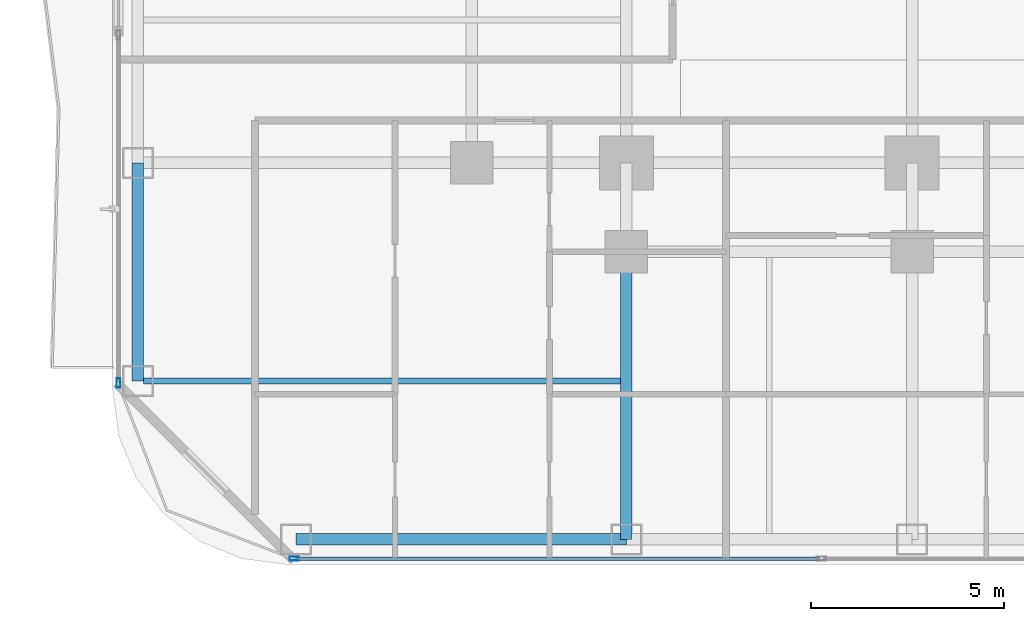
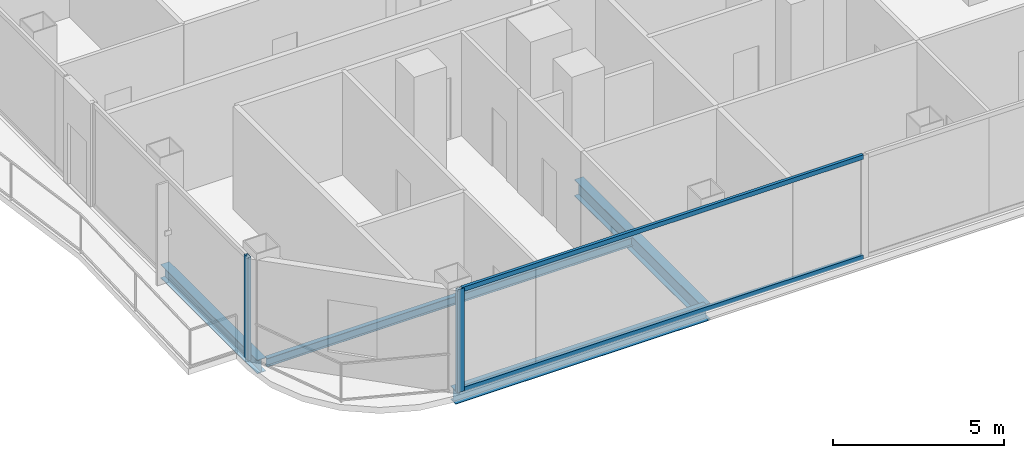
# One storey, part 2 of 30: 4 beams, 4 members, 2 elements without a shape of their own.
"""IFC4 building model written with IfcOpenShell, lengths in metres."""

from ifc_helpers import new_model, si_unit, direction, frame, origin, origin_2d, place, context, subcontext, project, spatial, hollow_rectangle, i_section, extrude, material, layer, layer_set, material_profile, profile_set, type_object, element, aggregate, save


model = new_model("IFC4")

# Units and contexts
model_context = context("Model", 3, precision=1e-05, world=origin(), true_north=direction((0.0, 1.0)))
body_context = subcontext(model_context, "Body", "Model", "MODEL_VIEW")
ifc_project = project(units=[si_unit("LENGTHUNIT", "METRE"), si_unit("AREAUNIT", "SQUARE_METRE"), si_unit("VOLUMEUNIT", "CUBIC_METRE"), si_unit("PLANEANGLEUNIT", "RADIAN"), si_unit("MASSUNIT", "GRAM", prefix="KILO")], contexts=[model_context])

# Site, building, storey
site_placement = place(None, origin())
site = spatial("IfcSite", under=ifc_project, at=site_placement, CompositionType="ELEMENT")
building_placement = place(site_placement, origin())
building = spatial("IfcBuilding", under=site, at=building_placement, Name="Khorvyn Point Tower", CompositionType="ELEMENT")
storey_placement = place(building_placement, frame((0.0, 0.0, 57.89990234375)))
storey = spatial("IfcBuildingStorey", under=building, at=storey_placement, Name="L15", CompositionType="ELEMENT", Elevation=57.89990234375)

# Curtain wall, member
ifc_material_1 = material(Name="Anodised aluminium 6063-T6 and laminated Low-E glass", Category="aluminium")
ifc_layer = layer(ifc_material_1, 0.18994140625)
ifc_layer_set = layer_set([ifc_layer], Name="Stick-Built Finned Residential Curtain Wall CW-SYS-02")
curtain_wall_type = type_object("IfcCurtainWallType", Name="Stick-Built Finned Residential Curtain Wall CW-SYS-02", PredefinedType="NOTDEFINED", material=ifc_layer_set)
curtain_wall_1_placement = place(storey_placement, origin())
curtain_wall_1 = element("IfcCurtainWall", 1, at=curtain_wall_1_placement, inside=storey, type_object=curtain_wall_type, Name="Curtain Wall", PredefinedType="NOTDEFINED")
ifc_material_2 = material(Name="Anodised aluminium 6063-T6", Category="aluminium")
ifc_material_profile_1 = material_profile(ifc_material_2, hollow_rectangle(XDim=0.10009765625, YDim=0.239990234375, WallThickness=0.0048828125, at=origin_2d()))
ifc_profile_set_1 = profile_set([ifc_material_profile_1], Name="Anodised aluminium 6063-T6 ALU-MUL-100x240")
member_type_1 = type_object("IfcMemberType", Name="Anodised Aluminium 6063-T6 Mullion ALU-MUL-100x240", PredefinedType="MULLION", material=ifc_profile_set_1)
member_1_placement = place(storey_placement, frame((-23.39990234375, -25.050048828125, 0.0), z_axis=(0.0, 0.0, 1.0), x_axis=(0.0, -1.0, 0.0)))
member_1 = element("IfcMember", 2, at=member_1_placement, type_object=member_type_1, Name="Transom", PredefinedType="MULLION", context=body_context, shape_type="SweptSolid", body=[
    extrude(hollow_rectangle(XDim=0.10009765625, YDim=0.239990234375, WallThickness=0.0048828125, at=origin_2d()), origin(), (0.0, 0.0, 1.0), 3.68017578125),
])

curtain_wall_2_placement = place(storey_placement, origin())
curtain_wall_2 = element("IfcCurtainWall", 3, at=curtain_wall_2_placement, inside=storey, type_object=curtain_wall_type, Name="Curtain Wall", PredefinedType="NOTDEFINED")
member_2_placement = place(storey_placement, frame((-27.949951171875, -20.5, 0.0), z_axis=(0.0, 0.0, 1.0), x_axis=(-1.0, 0.0, 0.0)))
member_2 = element("IfcMember", 4, at=member_2_placement, type_object=member_type_1, Name="Transom", PredefinedType="MULLION", context=body_context, shape_type="SweptSolid", body=[
    extrude(hollow_rectangle(XDim=0.10009765625, YDim=0.239990234375, WallThickness=0.0048828125, at=origin_2d()), origin(), (0.0, 0.0, 1.0), 3.68017578125),
])
aggregate(curtain_wall_2, [member_2])

# Member
ifc_material_profile_2 = material_profile(ifc_material_2, hollow_rectangle(XDim=0.10009765625, YDim=0.159912109375, WallThickness=0.00439453125, at=origin_2d()))
ifc_profile_set_2 = profile_set([ifc_material_profile_2], Name="Anodised aluminium 6063-T6 ALU-TRN-100x160")
member_type_2 = type_object("IfcMemberType", Name="Anodised Aluminium 6063-T6 Transom ALU-TRN-100x160", PredefinedType="USERDEFINED", material=ifc_profile_set_2)
member_3_placement = place(storey_placement, frame((-9.800048828125, -25.050048828125, 0.050048828125), z_axis=(-1.0, 0.0, 0.0), x_axis=(0.0, -1.0, 0.0)))
member_3 = element("IfcMember", 5, at=member_3_placement, type_object=member_type_2, Name="Transom", ObjectType="TRANSOM", PredefinedType="USERDEFINED", context=body_context, shape_type="SweptSolid", body=[
    extrude(hollow_rectangle(XDim=0.10009765625, YDim=0.159912109375, WallThickness=0.00439453125, at=origin_2d()), origin(), (0.0, 0.0, 1.0), 13.550048828125),
])

member_4_placement = place(storey_placement, frame((-9.800048828125, -25.050048828125, 3.630126953125), z_axis=(-1.0, 0.0, 0.0), x_axis=(0.0, -1.0, 0.0)))
member_4 = element("IfcMember", 6, at=member_4_placement, type_object=member_type_2, Name="Transom", ObjectType="TRANSOM", PredefinedType="USERDEFINED", context=body_context, shape_type="SweptSolid", body=[
    extrude(hollow_rectangle(XDim=0.10009765625, YDim=0.159912109375, WallThickness=0.00439453125, at=origin_2d()), origin(), (0.0, 0.0, 1.0), 13.550048828125),
])

aggregate(curtain_wall_1, [member_1, member_3, member_4])

# Beams
ifc_material_3 = material(Name="Steel S355", Category="steel")
ifc_material_profile_3 = material_profile(ifc_material_3, i_section(OverallWidth=0.300048828125, OverallDepth=0.587890625, WebThickness=0.011962890625, FlangeThickness=0.02001953125, at=origin_2d()))
ifc_profile_set_3 = profile_set([ifc_material_profile_3], Name="Steel S355 H588x300x12x20")
beam_type_1 = type_object("IfcBeamType", Name="Steel S355 Beam H588x300x12x20", PredefinedType="BEAM", material=ifc_profile_set_3)
beam_1_placement = place(storey_placement, frame((-14.800048828125, -24.550048828125, -0.513916015625), z_axis=(0.0, 1.0, 0.0), x_axis=(-1.0, 0.0, 0.0)))
element("IfcBeam", 7, at=beam_1_placement, inside=storey, type_object=beam_type_1, Name="Beam", PredefinedType="BEAM", context=body_context, shape_type="SweptSolid", body=[
    extrude(i_section(OverallWidth=0.300048828125, OverallDepth=0.587890625, WebThickness=0.011962890625, FlangeThickness=0.02001953125, at=origin_2d()), origin(), (0.0, 0.0, 1.0), 7.449951171875),
])
ifc_material_profile_4 = material_profile(ifc_material_3, i_section(OverallWidth=0.14990234375, OverallDepth=0.300048828125, WebThickness=0.006591796875, FlangeThickness=0.009033203125, at=origin_2d()))
ifc_profile_set_4 = profile_set([ifc_material_profile_4], Name="Steel S355 H300x150x6.5x9")
beam_type_2 = type_object("IfcBeamType", Name="Steel S355 Joist H300x150x6.5x9", PredefinedType="JOIST", material=ifc_profile_set_4)
beam_2_placement = place(storey_placement, frame((-27.300048828125, -20.449951171875, -0.369873046875), z_axis=(1.0, 0.0, 0.0), x_axis=(0.0, 1.0, 0.0)))
element("IfcBeam", 8, at=beam_2_placement, inside=storey, type_object=beam_type_2, Name="Beam", PredefinedType="JOIST", context=body_context, shape_type="SweptSolid", body=[
    extrude(i_section(OverallWidth=0.14990234375, OverallDepth=0.300048828125, WebThickness=0.006591796875, FlangeThickness=0.009033203125, at=origin_2d()), origin(), (0.0, 0.0, 1.0), 12.35009765625),
])
ifc_material_profile_5 = material_profile(ifc_material_3, i_section(OverallWidth=0.300048828125, OverallDepth=0.488037109375, WebThickness=0.010986328125, FlangeThickness=0.01806640625, at=origin_2d()))
ifc_profile_set_5 = profile_set([ifc_material_profile_5], Name="Steel S355 H488x300x11x18")
beam_type_3 = type_object("IfcBeamType", Name="Steel S355 Spandrel H488x300x11x18", PredefinedType="SPANDREL", material=ifc_profile_set_5)
beam_3_placement = place(storey_placement, frame((-23.35009765625, -24.550048828125, -0.4638671875), z_axis=(1.0, 0.0, 0.0), x_axis=(0.0, 1.0, 0.0)))
element("IfcBeam", 9, at=beam_3_placement, inside=storey, type_object=beam_type_3, Name="Beam", PredefinedType="SPANDREL", context=body_context, shape_type="SweptSolid", body=[
    extrude(i_section(OverallWidth=0.300048828125, OverallDepth=0.488037109375, WebThickness=0.010986328125, FlangeThickness=0.01806640625, at=origin_2d()), origin(), (0.0, 0.0, 1.0), 8.550048828125),
])
beam_4_placement = place(storey_placement, frame((-27.449951171875, -20.449951171875, -0.4638671875), z_axis=(0.0, 1.0, 0.0), x_axis=(-1.0, 0.0, 0.0)))
element("IfcBeam", 10, at=beam_4_placement, inside=storey, type_object=beam_type_3, Name="Beam", PredefinedType="SPANDREL", context=body_context, shape_type="SweptSolid", body=[
    extrude(i_section(OverallWidth=0.300048828125, OverallDepth=0.488037109375, WebThickness=0.010986328125, FlangeThickness=0.01806640625, at=origin_2d()), origin(), (0.0, 0.0, 1.0), 5.64990234375),
])

save(model, "model.ifc")
